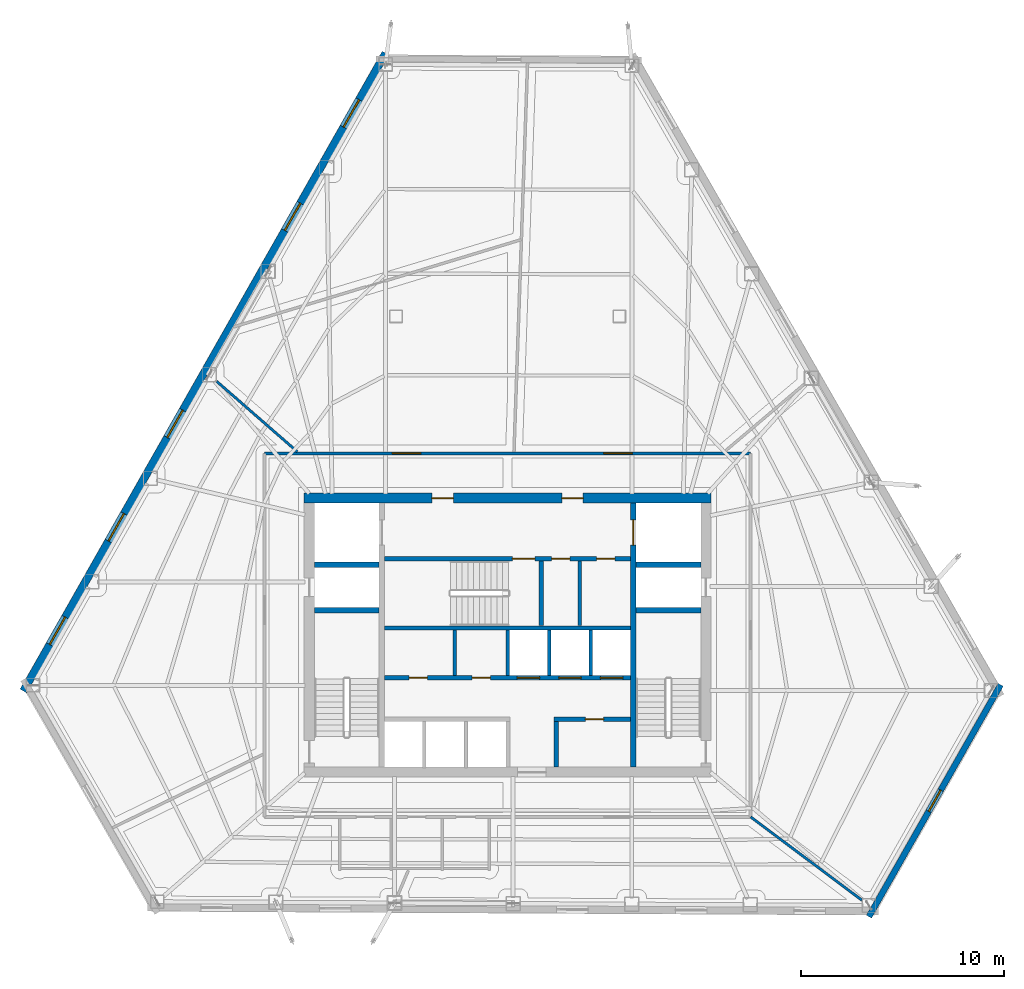
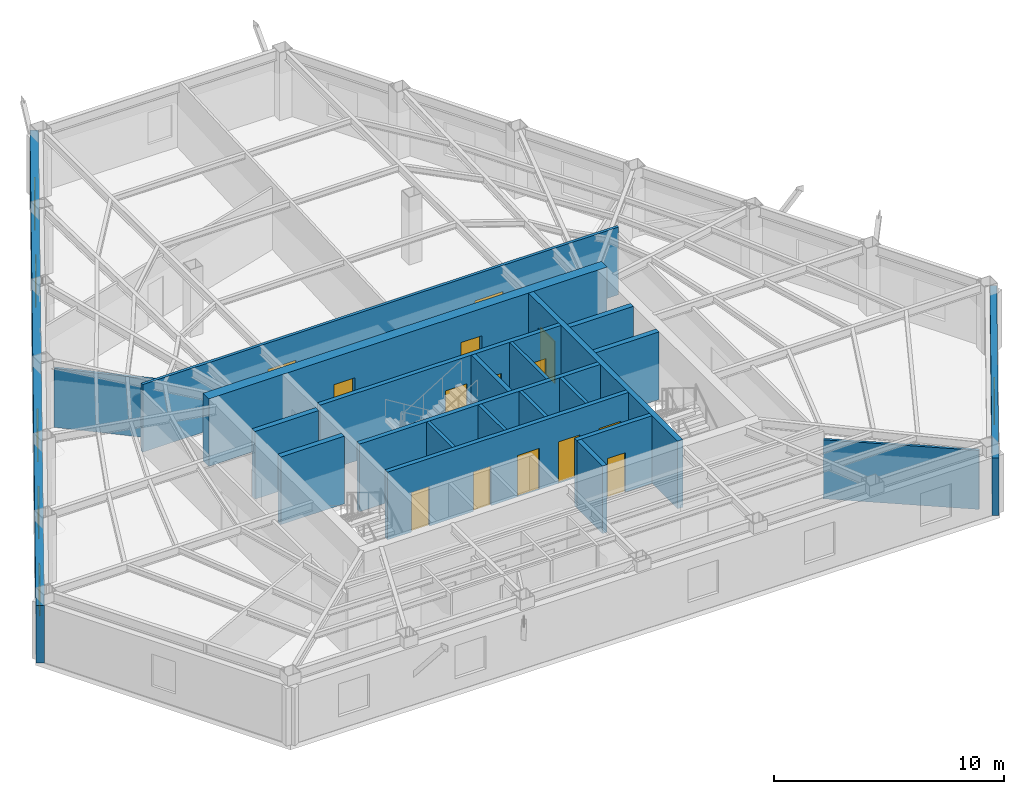
# One storey, part 8 of 13: 22 walls, 14 doors, 6 windows, 20 openings.
"""IFC4 building model written with IfcOpenShell, lengths in metres."""

from ifc_helpers import new_model, si_unit, direction, frame, frame_2d, origin, place, context, subcontext, project, spatial, rectangle, extrude, material, layer, layer_set, type_object, element, fill, save


model = new_model("IFC4")

# Units and contexts
model_context = context("Model", 3, precision=1e-05, world=origin(), true_north=direction((0.0, 1.0)))
body_context = subcontext(model_context, "Body", "Model", "MODEL_VIEW")
ifc_project = project(units=[si_unit("LENGTHUNIT", "METRE"), si_unit("AREAUNIT", "SQUARE_METRE"), si_unit("VOLUMEUNIT", "CUBIC_METRE"), si_unit("PLANEANGLEUNIT", "RADIAN"), si_unit("MASSUNIT", "GRAM", prefix="KILO")], contexts=[model_context])

# Site, building, storey
site_placement = place(None, origin())
site = spatial("IfcSite", under=ifc_project, at=site_placement, CompositionType="ELEMENT")
building_placement = place(site_placement, origin())
building = spatial("IfcBuilding", under=site, at=building_placement, Name="Kavelnor Concourse Tower", CompositionType="ELEMENT")
storey_placement = place(building_placement, frame((0.0, 0.0, 108.60009765625)))
storey = spatial("IfcBuildingStorey", under=building, at=storey_placement, Name="L27", CompositionType="ELEMENT", Elevation=108.60009765625)

# Wall, openings, doors
ifc_material_1 = material(Name="Concrete C60/75", Category="concrete")
ifc_layer_1 = layer(ifc_material_1, 0.5, Name="Concrete C60/75")
ifc_layer_set_1 = layer_set([ifc_layer_1], Name="Concrete C60/75")
wall_type_1 = type_object("IfcWallType", Name="WL-CORE-Z2-500", PredefinedType="SOLIDWALL", material=ifc_layer_set_1)
wall_1_placement = place(storey_placement, frame((27.97998046875, 22.85009765625, 0.0), z_axis=(0.0, 0.0, 1.0), x_axis=(1.0, 0.0, 0.0)))
wall_1 = element("IfcWall", 1, at=wall_1_placement, inside=storey, type_object=wall_type_1, Name="L27 Central Core North Shear Wall", PredefinedType="SOLIDWALL", context=body_context, shape_type="SweptSolid", body=[
    extrude(rectangle(XDim=20.0400390625, YDim=0.5, at=frame_2d((10.02001953125, 0.0))), origin(), (0.0, 0.0, 1.0), 3.599853515625),
])
opening_1_placement = place(wall_1_placement, frame((6.294921875, 0.0, 0.0)))
opening_1 = element("IfcOpeningElement", 2, at=opening_1_placement, cuts=wall_1, Name="Opening FD-105", PredefinedType="OPENING", context=body_context, shape_type="SweptSolid", body=[
    extrude(rectangle(XDim=1.050048828125, YDim=2.14990234375, at=frame_2d((0.52490234375, 1.074951171875))), frame((0.0, 0.260009765625, 0.0), z_axis=(0.0, -1.0, 0.0), x_axis=(1.0, 0.0, 0.0)), (0.0, 0.0, 1.0), 0.52001953125),
])
opening_2_placement = place(wall_1_placement, frame((12.695068359375, 0.0, 0.0)))
opening_2 = element("IfcOpeningElement", 3, at=opening_2_placement, cuts=wall_1, Name="Opening FD-105", PredefinedType="OPENING", context=body_context, shape_type="SweptSolid", body=[
    extrude(rectangle(XDim=1.050048828125, YDim=2.14990234375, at=frame_2d((0.52490234375, 1.074951171875))), frame((0.0, 0.260009765625, 0.0), z_axis=(0.0, -1.0, 0.0), x_axis=(1.0, 0.0, 0.0)), (0.0, 0.0, 1.0), 0.52001953125),
])
ifc_material_2 = material(Name="Steel Grade 350", Category="steel")
door_type_1 = type_object("IfcDoorType", Name="DR-LOBBY-FIRE-1050", OperationType="NOTDEFINED", PredefinedType="DOOR", material=ifc_material_2)
door_1_placement = place(opening_1_placement, origin())
door_1 = element("IfcDoor", 4, at=door_1_placement, inside=storey, type_object=door_type_1, Name="L27 Emergency Lift Lobby West Door", OperationType="SINGLE_SWING_LEFT", OverallHeight=2.14990234375, OverallWidth=1.050048828125, PredefinedType="DOOR", context=body_context, shape_type="SweptSolid", body=[
    extrude(rectangle(XDim=1.050048828125, YDim=2.14990234375, at=frame_2d((0.52490234375, 1.074951171875))), frame((0.0, 0.02490234375, 0.0), z_axis=(0.0, -1.0, 0.0), x_axis=(1.0, 0.0, 0.0)), (0.0, 0.0, 1.0), 0.050048828125),
])
fill(opening_1, door_1)
door_2_placement = place(opening_2_placement, origin())
door_2 = element("IfcDoor", 5, at=door_2_placement, inside=storey, type_object=door_type_1, Name="L27 Emergency Lift Lobby East Door", OperationType="SINGLE_SWING_RIGHT", OverallHeight=2.14990234375, OverallWidth=1.050048828125, PredefinedType="DOOR", context=body_context, shape_type="SweptSolid", body=[
    extrude(rectangle(XDim=1.050048828125, YDim=2.14990234375, at=frame_2d((0.52490234375, 1.074951171875))), frame((0.0, 0.02490234375, 0.0), z_axis=(0.0, -1.0, 0.0), x_axis=(1.0, 0.0, 0.0)), (0.0, 0.0, 1.0), 0.050048828125),
])
fill(opening_2, door_2)

# Wall, opening, window
ifc_material_3 = material(Name="Buff ironspot clay face brick masonry", Category="masonry")
ifc_layer_2 = layer(ifc_material_3, 0.300048828125, Name="Buff ironspot clay face brick masonry")
ifc_layer_set_2 = layer_set([ifc_layer_2], Name="Buff ironspot clay face brick masonry")
wall_type_2 = type_object("IfcWallType", Name="WL-EXT-BUFF-BRICK-FOLD-300", PredefinedType="STANDARD", material=ifc_layer_set_2)
wall_2_placement = place(storey_placement, frame((62.27978515625, 13.65185546875, 0.0), z_axis=(0.0, 0.0, 1.0), x_axis=(-0.493862788891, -0.869539847131, 0.0)))
wall_2 = element("IfcWall", 6, at=wall_2_placement, inside=storey, type_object=wall_type_2, Name="L27 Exterior Brick Facade Wall E4", PredefinedType="STANDARD", context=body_context, shape_type="SweptSolid", body=[
    extrude(rectangle(XDim=13.1318359375, YDim=0.300048828125, at=frame_2d((6.56591796875, 0.0))), origin(), (0.0, 0.0, 1.0), 3.058837890625),
])
opening_3_placement = place(wall_2_placement, frame((5.9658203125, 0.0, 0.64990234375)))
opening_3 = element("IfcOpeningElement", 7, at=opening_3_placement, cuts=wall_2, Name="Opening W-05", PredefinedType="OPENING", context=body_context, shape_type="SweptSolid", body=[
    extrude(rectangle(XDim=1.199951171875, YDim=1.699951171875, at=frame_2d((0.60009765625, 0.85009765625))), frame((0.0, 0.16015625, 0.0), z_axis=(0.0, -1.0, 0.0), x_axis=(1.0, 0.0, 0.0)), (0.0, 0.0, 1.0), 0.320068359375),
])
ifc_material_4 = material(Name="Double low-E argon insulated glazing", Category="glass")
window_type_1 = type_object("IfcWindowType", Name="WIN-FOLD-1200", PartitioningType="SINGLE_PANEL", PredefinedType="WINDOW", material=ifc_material_4)
window_1_placement = place(opening_3_placement, origin())
window_1 = element("IfcWindow", 8, at=window_1_placement, inside=storey, type_object=window_type_1, Name="L27 Chamfer-Fold Facet Window C2", OverallHeight=1.699951171875, OverallWidth=1.199951171875, PartitioningType="SINGLE_PANEL", PredefinedType="WINDOW", context=body_context, shape_type="SweptSolid", body=[
    extrude(rectangle(XDim=1.199951171875, YDim=1.699951171875, at=frame_2d((0.60009765625, 0.85009765625))), frame((0.0, 0.030029296875, 0.0), z_axis=(0.0, -1.0, 0.0), x_axis=(1.0, 0.0, 0.0)), (0.0, 0.0, 1.0), 0.06005859375),
])
fill(opening_3, window_1)

# Wall, openings, windows
ifc_material_5 = material(Name="Red-ochre clay face brick masonry", Category="masonry")
ifc_layer_3 = layer(ifc_material_5, 0.3798828125, Name="Red-ochre clay face brick masonry")
ifc_layer_set_3 = layer_set([ifc_layer_3], Name="Red-ochre clay face brick masonry")
wall_type_3 = type_object("IfcWallType", Name="WL-EXT-RED-BRICK-PIER-380", PredefinedType="STANDARD", material=ifc_layer_set_3)
wall_3_placement = place(storey_placement, frame((14.154541015625, 13.347412109375, 0.0), z_axis=(0.0, 0.0, 1.0), x_axis=(0.493868426836, 0.869536644986, 0.0)))
wall_3 = element("IfcWall", 9, at=wall_3_placement, inside=storey, type_object=wall_type_3, Name="L27 Exterior Brick Facade Wall E1", PredefinedType="STANDARD", context=body_context, shape_type="SweptSolid", body=[
    extrude(rectangle(XDim=36.12109375, YDim=0.3798828125, at=frame_2d((18.060546875, 0.0))), origin(), (0.0, 0.0, 1.0), 3.058837890625),
])
opening_4_placement = place(wall_3_placement, frame((31.9345703125, 0.0, 0.64990234375)))
opening_4 = element("IfcOpeningElement", 10, at=opening_4_placement, cuts=wall_3, Name="Opening W-02", PredefinedType="OPENING", context=body_context, shape_type="SweptSolid", body=[
    extrude(rectangle(XDim=1.550048828125, YDim=1.75, at=frame_2d((0.77490234375, 0.875))), frame((0.0, 0.199951171875, 0.0), z_axis=(0.0, -1.0, 0.0), x_axis=(1.0, 0.0, 0.0)), (0.0, 0.0, 1.0), 0.39990234375),
])
opening_5_placement = place(wall_3_placement, frame((26.073486328125, 0.0, 0.64990234375)))
opening_5 = element("IfcOpeningElement", 11, at=opening_5_placement, cuts=wall_3, Name="Opening W-02", PredefinedType="OPENING", context=body_context, shape_type="SweptSolid", body=[
    extrude(rectangle(XDim=1.550048828125, YDim=1.75, at=frame_2d((0.77490234375, 0.875))), frame((0.0, 0.199951171875, 0.0), z_axis=(0.0, -1.0, 0.0), x_axis=(1.0, 0.0, 0.0)), (0.0, 0.0, 1.0), 0.39990234375),
])
opening_6_placement = place(wall_3_placement, frame((14.351806640625, 0.0, 0.64990234375)))
opening_6 = element("IfcOpeningElement", 12, at=opening_6_placement, cuts=wall_3, Name="Opening W-02", PredefinedType="OPENING", context=body_context, shape_type="SweptSolid", body=[
    extrude(rectangle(XDim=1.550048828125, YDim=1.75, at=frame_2d((0.77490234375, 0.875))), frame((0.0, 0.199951171875, 0.0), z_axis=(0.0, -1.0, 0.0), x_axis=(1.0, 0.0, 0.0)), (0.0, 0.0, 1.0), 0.39990234375),
])
opening_7_placement = place(wall_3_placement, frame((8.49072265625, 0.0, 0.64990234375)))
opening_7 = element("IfcOpeningElement", 13, at=opening_7_placement, cuts=wall_3, Name="Opening W-02", PredefinedType="OPENING", context=body_context, shape_type="SweptSolid", body=[
    extrude(rectangle(XDim=1.550048828125, YDim=1.75, at=frame_2d((0.77490234375, 0.875))), frame((0.0, 0.199951171875, 0.0), z_axis=(0.0, -1.0, 0.0), x_axis=(1.0, 0.0, 0.0)), (0.0, 0.0, 1.0), 0.39990234375),
])
opening_8_placement = place(wall_3_placement, frame((2.629638671875, 0.0, 0.64990234375)))
opening_8 = element("IfcOpeningElement", 14, at=opening_8_placement, cuts=wall_3, Name="Opening W-02", PredefinedType="OPENING", context=body_context, shape_type="SweptSolid", body=[
    extrude(rectangle(XDim=1.550048828125, YDim=1.75, at=frame_2d((0.77490234375, 0.875))), frame((0.0, 0.199951171875, 0.0), z_axis=(0.0, -1.0, 0.0), x_axis=(1.0, 0.0, 0.0)), (0.0, 0.0, 1.0), 0.39990234375),
])
window_type_2 = type_object("IfcWindowType", Name="WIN-PIER-Z2-1650", PartitioningType="SINGLE_PANEL", PredefinedType="WINDOW", material=ifc_material_4)
window_2_placement = place(opening_4_placement, origin())
window_2 = element("IfcWindow", 15, at=window_2_placement, inside=storey, type_object=window_type_2, Name="L27 Deep-Set Brick Pier Window F0-B0", OverallHeight=1.75, OverallWidth=1.550048828125, PartitioningType="SINGLE_PANEL", PredefinedType="WINDOW", context=body_context, shape_type="SweptSolid", body=[
    extrude(rectangle(XDim=1.550048828125, YDim=1.75, at=frame_2d((0.77490234375, 0.875))), frame((0.0, 0.030029296875, 0.0), z_axis=(0.0, -1.0, 0.0), x_axis=(1.0, 0.0, 0.0)), (0.0, 0.0, 1.0), 0.06005859375),
])
fill(opening_4, window_2)
window_3_placement = place(opening_5_placement, origin())
window_3 = element("IfcWindow", 16, at=window_3_placement, inside=storey, type_object=window_type_2, Name="L27 Deep-Set Brick Pier Window F0-B1", OverallHeight=1.75, OverallWidth=1.550048828125, PartitioningType="SINGLE_PANEL", PredefinedType="WINDOW", context=body_context, shape_type="SweptSolid", body=[
    extrude(rectangle(XDim=1.550048828125, YDim=1.75, at=frame_2d((0.77490234375, 0.875))), frame((0.0, 0.030029296875, 0.0), z_axis=(0.0, -1.0, 0.0), x_axis=(1.0, 0.0, 0.0)), (0.0, 0.0, 1.0), 0.06005859375),
])
fill(opening_5, window_3)
window_4_placement = place(opening_6_placement, origin())
window_4 = element("IfcWindow", 17, at=window_4_placement, inside=storey, type_object=window_type_2, Name="L27 Deep-Set Brick Pier Window F0-B3", OverallHeight=1.75, OverallWidth=1.550048828125, PartitioningType="SINGLE_PANEL", PredefinedType="WINDOW", context=body_context, shape_type="SweptSolid", body=[
    extrude(rectangle(XDim=1.550048828125, YDim=1.75, at=frame_2d((0.77490234375, 0.875))), frame((0.0, 0.030029296875, 0.0), z_axis=(0.0, -1.0, 0.0), x_axis=(1.0, 0.0, 0.0)), (0.0, 0.0, 1.0), 0.06005859375),
])
fill(opening_6, window_4)
window_5_placement = place(opening_7_placement, origin())
window_5 = element("IfcWindow", 18, at=window_5_placement, inside=storey, type_object=window_type_2, Name="L27 Deep-Set Brick Pier Window F0-B4", OverallHeight=1.75, OverallWidth=1.550048828125, PartitioningType="SINGLE_PANEL", PredefinedType="WINDOW", context=body_context, shape_type="SweptSolid", body=[
    extrude(rectangle(XDim=1.550048828125, YDim=1.75, at=frame_2d((0.77490234375, 0.875))), frame((0.0, 0.030029296875, 0.0), z_axis=(0.0, -1.0, 0.0), x_axis=(1.0, 0.0, 0.0)), (0.0, 0.0, 1.0), 0.06005859375),
])
fill(opening_7, window_5)
window_6_placement = place(opening_8_placement, origin())
window_6 = element("IfcWindow", 19, at=window_6_placement, inside=storey, type_object=window_type_2, Name="L27 Deep-Set Brick Pier Window F0-B5", OverallHeight=1.75, OverallWidth=1.550048828125, PartitioningType="SINGLE_PANEL", PredefinedType="WINDOW", context=body_context, shape_type="SweptSolid", body=[
    extrude(rectangle(XDim=1.550048828125, YDim=1.75, at=frame_2d((0.77490234375, 0.875))), frame((0.0, 0.030029296875, 0.0), z_axis=(0.0, -1.0, 0.0), x_axis=(1.0, 0.0, 0.0)), (0.0, 0.0, 1.0), 0.06005859375),
])
fill(opening_8, window_6)

# Wall, openings, doors
ifc_material_6 = material(Name="Gypsum plasterboard on light-gauge steel studs", Category="steel")
ifc_layer_4 = layer(ifc_material_6, 0.14501953125, Name="Gypsum plasterboard on light-gauge steel studs")
ifc_layer_set_4 = layer_set([ifc_layer_4], Name="Gypsum plasterboard on light-gauge steel studs")
wall_type_4 = type_object("IfcWallType", Name="WL-INT-CORR-145", PredefinedType="PARTITIONING", material=ifc_layer_set_4)
wall_4_placement = place(storey_placement, frame((49.969970703125, 25.050048828125, 0.0), z_axis=(0.0, 0.0, 1.0), x_axis=(-1.0, 0.0, 0.0)))
wall_4 = element("IfcWall", 20, at=wall_4_placement, inside=storey, type_object=wall_type_4, Name="L27 Corridor Wall WL-L27-CR-02", PredefinedType="PARTITIONING", context=body_context, shape_type="SweptSolid", body=[
    extrude(rectangle(XDim=23.93994140625, YDim=0.14501953125, at=frame_2d((11.969970703125, 0.0))), origin(), (0.0, 0.0, 1.0), 3.599853515625),
])
opening_9_placement = place(wall_4_placement, frame((5.824462890625, 0.0, 0.0)))
opening_9 = element("IfcOpeningElement", 21, at=opening_9_placement, cuts=wall_4, Name="Opening SD-140", PredefinedType="OPENING", context=body_context, shape_type="SweptSolid", body=[
    extrude(rectangle(XDim=1.39990234375, YDim=2.199951171875, at=frame_2d((0.699951171875, 1.10009765625))), frame((0.0, 0.08251953125, 0.0), z_axis=(0.0, -1.0, 0.0), x_axis=(1.0, 0.0, 0.0)), (0.0, 0.0, 1.0), 0.1650390625),
])
opening_10_placement = place(wall_4_placement, frame((16.23828125, 0.0, 0.0)))
opening_10 = element("IfcOpeningElement", 22, at=opening_10_placement, cuts=wall_4, Name="Opening SD-140", PredefinedType="OPENING", context=body_context, shape_type="SweptSolid", body=[
    extrude(rectangle(XDim=1.39990234375, YDim=2.199951171875, at=frame_2d((0.699951171875, 1.10009765625))), frame((0.0, 0.08251953125, 0.0), z_axis=(0.0, -1.0, 0.0), x_axis=(1.0, 0.0, 0.0)), (0.0, 0.0, 1.0), 0.1650390625),
])
ifc_material_7 = material(Name="Solid-core hardwood timber", Category="wood")
door_type_2 = type_object("IfcDoorType", Name="DR-SUITE-ENTRY-1400", OperationType="NOTDEFINED", PredefinedType="DOOR", material=ifc_material_7)
door_3_placement = place(opening_9_placement, origin())
door_3 = element("IfcDoor", 23, at=door_3_placement, inside=storey, type_object=door_type_2, Name="L27 Architectural Design Studio 01 Door", OperationType="SINGLE_SWING_LEFT", OverallHeight=2.199951171875, OverallWidth=1.39990234375, PredefinedType="DOOR", context=body_context, shape_type="SweptSolid", body=[
    extrude(rectangle(XDim=1.39990234375, YDim=2.199951171875, at=frame_2d((0.699951171875, 1.10009765625))), frame((0.0, 0.02490234375, 0.0), z_axis=(0.0, -1.0, 0.0), x_axis=(1.0, 0.0, 0.0)), (0.0, 0.0, 1.0), 0.050048828125),
])
fill(opening_9, door_3)
door_4_placement = place(opening_10_placement, origin())
door_4 = element("IfcDoor", 24, at=door_4_placement, inside=storey, type_object=door_type_2, Name="L27 Client Concierge 02 Door", OperationType="SINGLE_SWING_RIGHT", OverallHeight=2.199951171875, OverallWidth=1.39990234375, PredefinedType="DOOR", context=body_context, shape_type="SweptSolid", body=[
    extrude(rectangle(XDim=1.39990234375, YDim=2.199951171875, at=frame_2d((0.699951171875, 1.10009765625))), frame((0.0, 0.02490234375, 0.0), z_axis=(0.0, -1.0, 0.0), x_axis=(1.0, 0.0, 0.0)), (0.0, 0.0, 1.0), 0.050048828125),
])
fill(opening_10, door_4)

# Walls
ifc_layer_5 = layer(ifc_material_6, 0.1650390625, Name="Gypsum plasterboard on light-gauge steel studs")
ifc_layer_set_5 = layer_set([ifc_layer_5], Name="Gypsum plasterboard on light-gauge steel studs")
wall_type_5 = type_object("IfcWallType", Name="WL-INT-FIRE-165", PredefinedType="PARTITIONING", material=ifc_layer_set_5)
for number, where, z_axis, x_axis, name in (
    (25, (38.0, 14.10009765625, 0.0), (0.0, 0.0, 1.0), (0.0, 1.0, 0.0), "L27 Reclaimed Core Zone Partition"),
    (26, (35.39990234375, 14.10009765625, 0.0), (0.0, 0.0, 1.0), (0.0, 1.0, 0.0), "L27 Reclaimed Core Split Wall"),
    (27, (40.050048828125, 14.10009765625, 0.0), (0.0, 0.0, 1.0), (0.0, 1.0, 0.0), "L27 Lift Shaft Divider LP4"),
    (28, (42.10009765625, 14.10009765625, 0.0), (0.0, 0.0, 1.0), (0.0, 1.0, 0.0), "L27 Lift Shaft Divider LP5"),
):
    element("IfcWall", number, at=place(storey_placement, frame(where, z_axis=z_axis, x_axis=x_axis)), inside=storey, type_object=wall_type_5, Name=name, PredefinedType="PARTITIONING", context=body_context, shape_type="SweptSolid", body=[
        extrude(rectangle(XDim=2.239990234375, YDim=0.1650390625, at=frame_2d((1.1201171875, 0.0))), origin(), (0.0, 0.0, 1.0), 3.599853515625),
    ])
wall_5_placement = place(storey_placement, frame((41.550048828125, 16.56005859375, 0.0), z_axis=(0.0, 0.0, 1.0), x_axis=(0.0, 1.0, 0.0)))
element("IfcWall", 29, at=wall_5_placement, inside=storey, type_object=wall_type_5, Name="L27 Core North Support Divider", PredefinedType="PARTITIONING", context=body_context, shape_type="SweptSolid", body=[
    extrude(rectangle(XDim=3.199951171875, YDim=0.1650390625, at=frame_2d((1.60009765625, 0.0))), origin(), (0.0, 0.0, 1.0), 3.599853515625),
])
ifc_layer_6 = layer(ifc_material_6, 0.125, Name="Gypsum plasterboard on light-gauge steel studs")
ifc_layer_set_6 = layer_set([ifc_layer_6], Name="Gypsum plasterboard on light-gauge steel studs")
wall_type_6 = type_object("IfcWallType", Name="WL-INT-SUITE-125", PredefinedType="PARTITIONING", material=ifc_layer_set_6)
wall_6_placement = place(storey_placement, frame((27.646484375, 25.130615234375, 0.0), z_axis=(0.0, 0.0, 1.0), x_axis=(-0.753603237889, 0.657329567145, 0.0)))
element("IfcWall", 30, at=wall_6_placement, inside=storey, type_object=wall_type_6, Name="L27 Radial Suite Partition 03", PredefinedType="PARTITIONING", context=body_context, shape_type="SweptSolid", body=[
    extrude(rectangle(XDim=5.26953125, YDim=0.125, at=frame_2d((2.634765625, 0.0))), origin(), (0.0, 0.0, 1.0), 3.140869140625),
])
wall_7_placement = place(storey_placement, frame((49.969970703125, 7.14453125, 0.0), z_axis=(0.0, 0.0, 1.0), x_axis=(0.800705856265, -0.599057703183, 0.0)))
element("IfcWall", 31, at=wall_7_placement, inside=storey, type_object=wall_type_6, Name="L27 Radial Suite Partition 06", PredefinedType="PARTITIONING", context=body_context, shape_type="SweptSolid", body=[
    extrude(rectangle(XDim=6.843017578125, YDim=0.125, at=frame_2d((3.42138671875, 0.0))), origin(), (0.0, 0.0, 1.0), 3.140869140625),
])

# Wall, openings, doors
ifc_material_8 = material(Name="Concrete C50/60", Category="concrete")
ifc_layer_7 = layer(ifc_material_8, 0.219970703125, Name="Concrete C50/60")
ifc_layer_set_7 = layer_set([ifc_layer_7], Name="Concrete C50/60")
wall_type_7 = type_object("IfcWallType", Name="WL-SHAFT-220", PredefinedType="SOLIDWALL", material=ifc_layer_set_7)
wall_8_placement = place(storey_placement, frame((31.93994140625, 19.8701171875, 0.0), z_axis=(0.0, 0.0, 1.0), x_axis=(1.0, 0.0, 0.0)))
wall_8 = element("IfcWall", 32, at=wall_8_placement, inside=storey, type_object=wall_type_7, Name="L27 Emergency Lift Lobby South Wall", PredefinedType="SOLIDWALL", context=body_context, shape_type="SweptSolid", body=[
    extrude(rectangle(XDim=12.1201171875, YDim=0.219970703125, at=frame_2d((6.06005859375, 0.0))), origin(), (0.0, 0.0, 1.0), 3.599853515625),
])
opening_11_placement = place(wall_8_placement, frame((6.300048828125, 0.0, 0.0)))
opening_11 = element("IfcOpeningElement", 33, at=opening_11_placement, cuts=wall_8, Name="Opening FD-110", PredefinedType="OPENING", context=body_context, shape_type="SweptSolid", body=[
    extrude(rectangle(XDim=1.10009765625, YDim=2.14990234375, at=frame_2d((0.550048828125, 1.074951171875))), frame((0.0, 0.1201171875, 0.0), z_axis=(0.0, -1.0, 0.0), x_axis=(1.0, 0.0, 0.0)), (0.0, 0.0, 1.0), 0.239990234375),
])
opening_12_placement = place(wall_8_placement, frame((8.22998046875, 0.0, 0.0)))
opening_12 = element("IfcOpeningElement", 34, at=opening_12_placement, cuts=wall_8, Name="Opening FD-090", PredefinedType="OPENING", context=body_context, shape_type="SweptSolid", body=[
    extrude(rectangle(XDim=0.89990234375, YDim=2.10009765625, at=frame_2d((0.449951171875, 1.050048828125))), frame((0.0, 0.1201171875, 0.0), z_axis=(0.0, -1.0, 0.0), x_axis=(1.0, 0.0, 0.0)), (0.0, 0.0, 1.0), 0.239990234375),
])
opening_13_placement = place(wall_8_placement, frame((10.449951171875, 0.0, 0.0)))
opening_13 = element("IfcOpeningElement", 35, at=opening_13_placement, cuts=wall_8, Name="Opening FD-090", PredefinedType="OPENING", context=body_context, shape_type="SweptSolid", body=[
    extrude(rectangle(XDim=0.89990234375, YDim=2.10009765625, at=frame_2d((0.449951171875, 1.050048828125))), frame((0.0, 0.1201171875, 0.0), z_axis=(0.0, -1.0, 0.0), x_axis=(1.0, 0.0, 0.0)), (0.0, 0.0, 1.0), 0.239990234375),
])
door_type_3 = type_object("IfcDoorType", Name="DR-RISER-FIRE-900", OperationType="NOTDEFINED", PredefinedType="DOOR", material=ifc_material_2)
door_5_placement = place(opening_12_placement, origin())
door_5 = element("IfcDoor", 36, at=door_5_placement, inside=storey, type_object=door_type_3, Name="L27 Telecom Room Door", OperationType="SINGLE_SWING_LEFT", OverallHeight=2.10009765625, OverallWidth=0.89990234375, PredefinedType="DOOR", context=body_context, shape_type="SweptSolid", body=[
    extrude(rectangle(XDim=0.89990234375, YDim=2.10009765625, at=frame_2d((0.449951171875, 1.050048828125))), frame((0.0, 0.02490234375, 0.0), z_axis=(0.0, -1.0, 0.0), x_axis=(1.0, 0.0, 0.0)), (0.0, 0.0, 1.0), 0.050048828125),
])
fill(opening_12, door_5)
door_6_placement = place(opening_13_placement, origin())
door_6 = element("IfcDoor", 37, at=door_6_placement, inside=storey, type_object=door_type_3, Name="L27 Janitor Store Door", OperationType="SINGLE_SWING_RIGHT", OverallHeight=2.10009765625, OverallWidth=0.89990234375, PredefinedType="DOOR", context=body_context, shape_type="SweptSolid", body=[
    extrude(rectangle(XDim=0.89990234375, YDim=2.10009765625, at=frame_2d((0.449951171875, 1.050048828125))), frame((0.0, 0.02490234375, 0.0), z_axis=(0.0, -1.0, 0.0), x_axis=(1.0, 0.0, 0.0)), (0.0, 0.0, 1.0), 0.050048828125),
])
fill(opening_13, door_6)
door_type_4 = type_object("IfcDoorType", Name="DR-STAIR-FIRE-1100", OperationType="NOTDEFINED", PredefinedType="DOOR", material=ifc_material_2)
door_7_placement = place(opening_11_placement, origin())
door_7 = element("IfcDoor", 38, at=door_7_placement, inside=storey, type_object=door_type_4, Name="L27 Stair ST3 Fire Door", OperationType="SINGLE_SWING_LEFT", OverallHeight=2.14990234375, OverallWidth=1.10009765625, PredefinedType="DOOR", context=body_context, shape_type="SweptSolid", body=[
    extrude(rectangle(XDim=1.10009765625, YDim=2.14990234375, at=frame_2d((0.550048828125, 1.074951171875))), frame((0.0, 0.02490234375, 0.0), z_axis=(0.0, -1.0, 0.0), x_axis=(1.0, 0.0, 0.0)), (0.0, 0.0, 1.0), 0.050048828125),
])
fill(opening_11, door_7)

# Walls
wall_9_placement = place(storey_placement, frame((31.93994140625, 16.449951171875, 0.0), z_axis=(0.0, 0.0, 1.0), x_axis=(1.0, 0.0, 0.0)))
element("IfcWall", 39, at=wall_9_placement, inside=storey, type_object=wall_type_7, Name="L27 Stair ST3 South Core Wall", PredefinedType="SOLIDWALL", context=body_context, shape_type="SweptSolid", body=[
    extrude(rectangle(XDim=12.1201171875, YDim=0.219970703125, at=frame_2d((6.06005859375, 0.0))), origin(), (0.0, 0.0, 1.0), 3.599853515625),
])
wall_10_placement = place(storey_placement, frame((39.64990234375, 16.56005859375, 0.0), z_axis=(0.0, 0.0, 1.0), x_axis=(0.0, 1.0, 0.0)))
element("IfcWall", 40, at=wall_10_placement, inside=storey, type_object=wall_type_7, Name="L27 Stair ST3 East Core Wall", PredefinedType="SOLIDWALL", context=body_context, shape_type="SweptSolid", body=[
    extrude(rectangle(XDim=3.199951171875, YDim=0.219970703125, at=frame_2d((1.60009765625, 0.0))), origin(), (0.0, 0.0, 1.0), 3.599853515625),
])

# Wall, openings, doors
wall_11_placement = place(storey_placement, frame((31.93994140625, 13.989990234375, 0.0), z_axis=(0.0, 0.0, 1.0), x_axis=(1.0, 0.0, 0.0)))
wall_11 = element("IfcWall", 41, at=wall_11_placement, inside=storey, type_object=wall_type_7, Name="L27 North Lift Row Shaft Wall", PredefinedType="SOLIDWALL", context=body_context, shape_type="SweptSolid", body=[
    extrude(rectangle(XDim=12.1201171875, YDim=0.219970703125, at=frame_2d((6.06005859375, 0.0))), origin(), (0.0, 0.0, 1.0), 3.599853515625),
])
opening_14_placement = place(wall_11_placement, frame((1.2099609375, 0.0, 0.0)))
opening_14 = element("IfcOpeningElement", 42, at=opening_14_placement, cuts=wall_11, Name="Opening FD-090", PredefinedType="OPENING", context=body_context, shape_type="SweptSolid", body=[
    extrude(rectangle(XDim=0.89990234375, YDim=2.10009765625, at=frame_2d((0.449951171875, 1.050048828125))), frame((0.0, 0.1201171875, 0.0), z_axis=(0.0, -1.0, 0.0), x_axis=(1.0, 0.0, 0.0)), (0.0, 0.0, 1.0), 0.239990234375),
])
opening_15_placement = place(wall_11_placement, frame((4.31005859375, 0.0, 0.0)))
opening_15 = element("IfcOpeningElement", 43, at=opening_15_placement, cuts=wall_11, Name="Opening FD-090", PredefinedType="OPENING", context=body_context, shape_type="SweptSolid", body=[
    extrude(rectangle(XDim=0.89990234375, YDim=2.10009765625, at=frame_2d((0.449951171875, 1.050048828125))), frame((0.0, 0.1201171875, 0.0), z_axis=(0.0, -1.0, 0.0), x_axis=(1.0, 0.0, 0.0)), (0.0, 0.0, 1.0), 0.239990234375),
])
opening_16_placement = place(wall_11_placement, frame((6.534912109375, 0.0, 0.0)))
opening_16 = element("IfcOpeningElement", 44, at=opening_16_placement, cuts=wall_11, Name="Opening LD-110", PredefinedType="OPENING", context=body_context, shape_type="SweptSolid", body=[
    extrude(rectangle(XDim=1.10009765625, YDim=2.199951171875, at=frame_2d((0.550048828125, 1.10009765625))), frame((0.0, 0.1201171875, 0.0), z_axis=(0.0, -1.0, 0.0), x_axis=(1.0, 0.0, 0.0)), (0.0, 0.0, 1.0), 0.239990234375),
])
opening_17_placement = place(wall_11_placement, frame((8.5849609375, 0.0, 0.0)))
opening_17 = element("IfcOpeningElement", 45, at=opening_17_placement, cuts=wall_11, Name="Opening LD-110", PredefinedType="OPENING", context=body_context, shape_type="SweptSolid", body=[
    extrude(rectangle(XDim=1.10009765625, YDim=2.199951171875, at=frame_2d((0.550048828125, 1.10009765625))), frame((0.0, 0.1201171875, 0.0), z_axis=(0.0, -1.0, 0.0), x_axis=(1.0, 0.0, 0.0)), (0.0, 0.0, 1.0), 0.239990234375),
])
opening_18_placement = place(wall_11_placement, frame((10.635009765625, 0.0, 0.0)))
opening_18 = element("IfcOpeningElement", 46, at=opening_18_placement, cuts=wall_11, Name="Opening LD-110", PredefinedType="OPENING", context=body_context, shape_type="SweptSolid", body=[
    extrude(rectangle(XDim=1.10009765625, YDim=2.199951171875, at=frame_2d((0.550048828125, 1.10009765625))), frame((0.0, 0.1201171875, 0.0), z_axis=(0.0, -1.0, 0.0), x_axis=(1.0, 0.0, 0.0)), (0.0, 0.0, 1.0), 0.239990234375),
])
door_type_5 = type_object("IfcDoorType", Name="DR-LIFT-SLIDING-1100", OperationType="NOTDEFINED", PredefinedType="DOOR", material=ifc_material_2)
door_8_placement = place(opening_16_placement, origin())
door_8 = element("IfcDoor", 47, at=door_8_placement, inside=storey, type_object=door_type_5, Name="L27 Lift LP4 Landing Door", OperationType="DOUBLE_DOOR_SLIDING", OverallHeight=2.199951171875, OverallWidth=1.10009765625, PredefinedType="DOOR", context=body_context, shape_type="SweptSolid", body=[
    extrude(rectangle(XDim=1.10009765625, YDim=2.199951171875, at=frame_2d((0.550048828125, 1.10009765625))), frame((0.0, 0.02490234375, 0.0), z_axis=(0.0, -1.0, 0.0), x_axis=(1.0, 0.0, 0.0)), (0.0, 0.0, 1.0), 0.050048828125),
])
fill(opening_16, door_8)
door_9_placement = place(opening_17_placement, origin())
door_9 = element("IfcDoor", 48, at=door_9_placement, inside=storey, type_object=door_type_5, Name="L27 Lift LP5 Landing Door", OperationType="DOUBLE_DOOR_SLIDING", OverallHeight=2.199951171875, OverallWidth=1.10009765625, PredefinedType="DOOR", context=body_context, shape_type="SweptSolid", body=[
    extrude(rectangle(XDim=1.10009765625, YDim=2.199951171875, at=frame_2d((0.550048828125, 1.10009765625))), frame((0.0, 0.02490234375, 0.0), z_axis=(0.0, -1.0, 0.0), x_axis=(1.0, 0.0, 0.0)), (0.0, 0.0, 1.0), 0.050048828125),
])
fill(opening_17, door_9)
door_10_placement = place(opening_18_placement, origin())
door_10 = element("IfcDoor", 49, at=door_10_placement, inside=storey, type_object=door_type_5, Name="L27 Lift LP6 Landing Door", OperationType="DOUBLE_DOOR_SLIDING", OverallHeight=2.199951171875, OverallWidth=1.10009765625, PredefinedType="DOOR", context=body_context, shape_type="SweptSolid", body=[
    extrude(rectangle(XDim=1.10009765625, YDim=2.199951171875, at=frame_2d((0.550048828125, 1.10009765625))), frame((0.0, 0.02490234375, 0.0), z_axis=(0.0, -1.0, 0.0), x_axis=(1.0, 0.0, 0.0)), (0.0, 0.0, 1.0), 0.050048828125),
])
fill(opening_18, door_10)
door_11_placement = place(opening_14_placement, origin())
door_11 = element("IfcDoor", 50, at=door_11_placement, inside=storey, type_object=door_type_3, Name="L27 Core Tea Pantry Door", OperationType="SINGLE_SWING_RIGHT", OverallHeight=2.10009765625, OverallWidth=0.89990234375, PredefinedType="DOOR", context=body_context, shape_type="SweptSolid", body=[
    extrude(rectangle(XDim=0.89990234375, YDim=2.10009765625, at=frame_2d((0.449951171875, 1.050048828125))), frame((0.0, 0.02490234375, 0.0), z_axis=(0.0, -1.0, 0.0), x_axis=(1.0, 0.0, 0.0)), (0.0, 0.0, 1.0), 0.050048828125),
])
fill(opening_14, door_11)
door_12_placement = place(opening_15_placement, origin())
door_12 = element("IfcDoor", 51, at=door_12_placement, inside=storey, type_object=door_type_3, Name="L27 Archive Store Door", OperationType="SINGLE_SWING_LEFT", OverallHeight=2.10009765625, OverallWidth=0.89990234375, PredefinedType="DOOR", context=body_context, shape_type="SweptSolid", body=[
    extrude(rectangle(XDim=0.89990234375, YDim=2.10009765625, at=frame_2d((0.449951171875, 1.050048828125))), frame((0.0, 0.02490234375, 0.0), z_axis=(0.0, -1.0, 0.0), x_axis=(1.0, 0.0, 0.0)), (0.0, 0.0, 1.0), 0.050048828125),
])
fill(opening_15, door_12)

# Wall, opening, door
wall_12_placement = place(storey_placement, frame((40.280029296875, 11.949951171875, 0.0), z_axis=(0.0, 0.0, 1.0), x_axis=(1.0, 0.0, 0.0)))
wall_12 = element("IfcWall", 52, at=wall_12_placement, inside=storey, type_object=wall_type_7, Name="L27 Core South Support North Wall", PredefinedType="SOLIDWALL", context=body_context, shape_type="SweptSolid", body=[
    extrude(rectangle(XDim=3.780029296875, YDim=0.219970703125, at=frame_2d((1.89013671875, 0.0))), origin(), (0.0, 0.0, 1.0), 3.599853515625),
])
opening_19_placement = place(wall_12_placement, frame((1.550048828125, 0.0, 0.0)))
opening_19 = element("IfcOpeningElement", 53, at=opening_19_placement, cuts=wall_12, Name="Opening FD-090", PredefinedType="OPENING", context=body_context, shape_type="SweptSolid", body=[
    extrude(rectangle(XDim=0.89990234375, YDim=2.10009765625, at=frame_2d((0.449951171875, 1.050048828125))), frame((0.0, 0.1201171875, 0.0), z_axis=(0.0, -1.0, 0.0), x_axis=(1.0, 0.0, 0.0)), (0.0, 0.0, 1.0), 0.239990234375),
])
door_13_placement = place(opening_19_placement, origin())
door_13 = element("IfcDoor", 54, at=door_13_placement, inside=storey, type_object=door_type_3, Name="L27 BMS Metering Door", OperationType="SINGLE_SWING_RIGHT", OverallHeight=2.10009765625, OverallWidth=0.89990234375, PredefinedType="DOOR", context=body_context, shape_type="SweptSolid", body=[
    extrude(rectangle(XDim=0.89990234375, YDim=2.10009765625, at=frame_2d((0.449951171875, 1.050048828125))), frame((0.0, 0.02490234375, 0.0), z_axis=(0.0, -1.0, 0.0), x_axis=(1.0, 0.0, 0.0)), (0.0, 0.0, 1.0), 0.050048828125),
])
fill(opening_19, door_13)

# Wall
wall_13_placement = place(storey_placement, frame((40.389892578125, 9.60009765625, 0.0), z_axis=(0.0, 0.0, 1.0), x_axis=(0.0, 1.0, 0.0)))
element("IfcWall", 55, at=wall_13_placement, inside=storey, type_object=wall_type_7, Name="L27 Lift Lobby Throat East Wall", PredefinedType="SOLIDWALL", context=body_context, shape_type="SweptSolid", body=[
    extrude(rectangle(XDim=2.239990234375, YDim=0.219970703125, at=frame_2d((1.1201171875, 0.0))), origin(), (0.0, 0.0, 1.0), 3.599853515625),
])

# Wall, opening, door
ifc_layer_8 = layer(ifc_material_8, 0.260009765625, Name="Concrete C50/60")
ifc_layer_set_8 = layer_set([ifc_layer_8], Name="Concrete C50/60")
wall_type_8 = type_object("IfcWallType", Name="WL-SHAFT-260", PredefinedType="SHEAR", material=ifc_layer_set_8)
wall_14_placement = place(storey_placement, frame((44.18994140625, 9.60009765625, 0.0), z_axis=(0.0, 0.0, 1.0), x_axis=(0.0, 1.0, 0.0)))
wall_14 = element("IfcWall", 56, at=wall_14_placement, inside=storey, type_object=wall_type_8, Name="L27 Core East Wing Shear Wall", PredefinedType="SHEAR", context=body_context, shape_type="SweptSolid", body=[
    extrude(rectangle(XDim=13.0, YDim=0.260009765625, at=frame_2d((6.5, 0.0))), origin(), (0.0, 0.0, 1.0), 3.599853515625),
])
opening_20_placement = place(wall_14_placement, frame((10.925048828125, 0.0, 0.0)))
opening_20 = element("IfcOpeningElement", 57, at=opening_20_placement, cuts=wall_14, Name="Opening LD-125", PredefinedType="OPENING", context=body_context, shape_type="SweptSolid", body=[
    extrude(rectangle(XDim=1.25, YDim=2.25, at=frame_2d((0.625, 1.125))), frame((0.0, 0.14013671875, 0.0), z_axis=(0.0, -1.0, 0.0), x_axis=(1.0, 0.0, 0.0)), (0.0, 0.0, 1.0), 0.280029296875),
])
door_type_6 = type_object("IfcDoorType", Name="DR-LIFT-SLIDING-1250", OperationType="NOTDEFINED", PredefinedType="DOOR", material=ifc_material_2)
door_14_placement = place(opening_20_placement, origin())
door_14 = element("IfcDoor", 58, at=door_14_placement, inside=storey, type_object=door_type_6, Name="L27 Emergency Lift FL2 Landing Door", OperationType="DOUBLE_DOOR_SLIDING", OverallHeight=2.25, OverallWidth=1.25, PredefinedType="DOOR", context=body_context, shape_type="SweptSolid", body=[
    extrude(rectangle(XDim=1.25, YDim=2.25, at=frame_2d((0.625, 1.125))), frame((0.0, 0.02490234375, 0.0), z_axis=(0.0, -1.0, 0.0), x_axis=(1.0, 0.0, 0.0)), (0.0, 0.0, 1.0), 0.050048828125),
])
fill(opening_20, door_14)

# Walls
for number, where, z_axis, x_axis, name in (
    (59, (28.47998046875, 17.330078125, 0.0), (0.0, 0.0, 1.0), (1.0, 0.0, 0.0), "L27 Stair ST1 North Shaft Wall"),
    (60, (28.47998046875, 19.570068359375, 0.0), (0.0, 0.0, 1.0), (1.0, 0.0, 0.0), "L27 Emergency Lift FL1 South Shaft Wall"),
    (61, (44.320068359375, 17.330078125, 0.0), (0.0, 0.0, 1.0), (1.0, 0.0, 0.0), "L27 Stair ST2 North Shaft Wall"),
    (62, (44.320068359375, 19.570068359375, 0.0), (0.0, 0.0, 1.0), (1.0, 0.0, 0.0), "L27 Emergency Lift FL2 South Shaft Wall"),
):
    element("IfcWall", number, at=place(storey_placement, frame(where, z_axis=z_axis, x_axis=x_axis)), inside=storey, type_object=wall_type_8, Name=name, PredefinedType="SHEAR", context=body_context, shape_type="SweptSolid", body=[
        extrude(rectangle(XDim=3.199951171875, YDim=0.260009765625, at=frame_2d((1.60009765625, 0.0))), origin(), (0.0, 0.0, 1.0), 3.599853515625),
    ])

save(model, "model.ifc")
